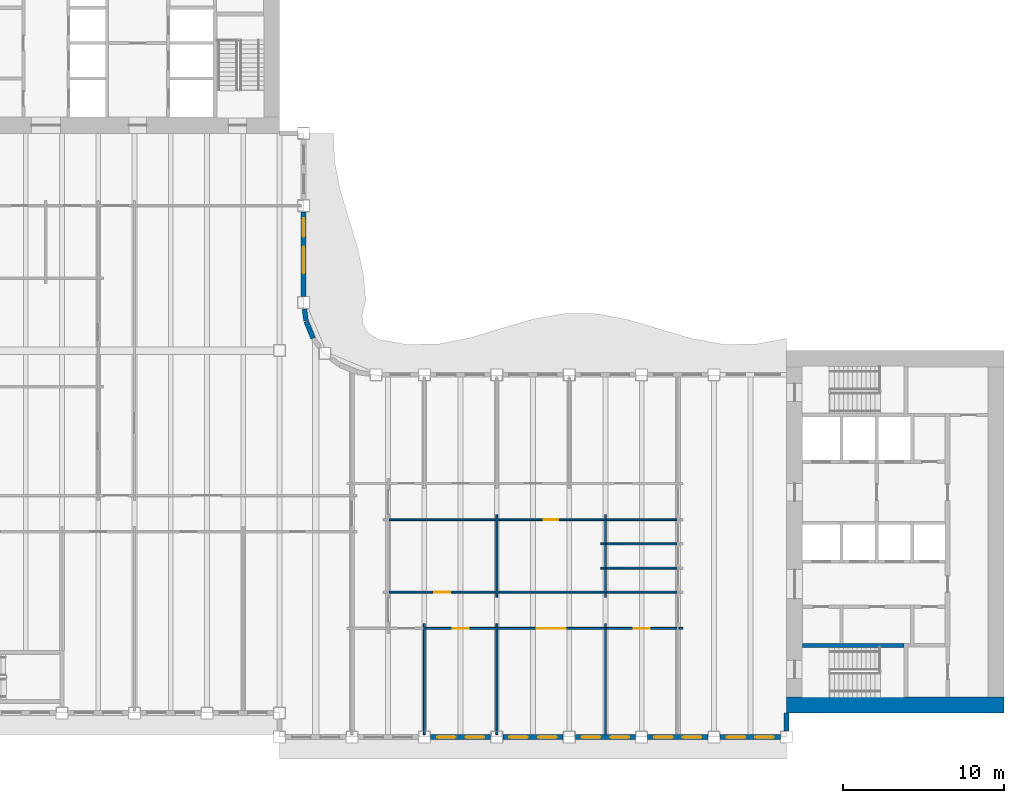
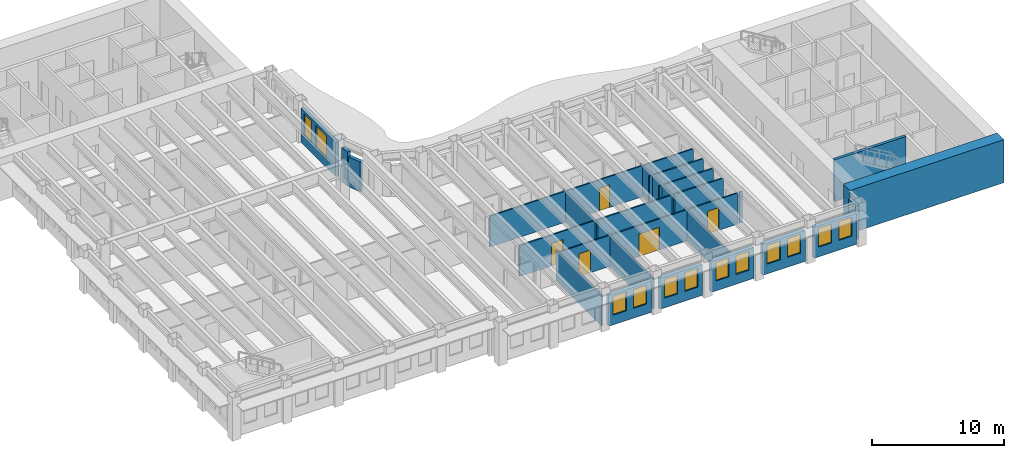
# One storey, part 5 of 16: 30 walls, 12 windows, 5 doors, 17 openings.
"""IFC4 building model written with IfcOpenShell, lengths in metres."""

from ifc_helpers import new_model, si_unit, direction, frame, frame_2d, origin, place, context, subcontext, project, spatial, rectangle, extrude, material, layer, layer_set, type_object, element, fill, save


model = new_model("IFC4")

# Units and contexts
model_context = context("Model", 3, precision=1e-05, world=origin(), true_north=direction((0.0, 1.0)))
body_context = subcontext(model_context, "Body", "Model", "MODEL_VIEW")
ifc_project = project(units=[si_unit("LENGTHUNIT", "METRE"), si_unit("AREAUNIT", "SQUARE_METRE"), si_unit("VOLUMEUNIT", "CUBIC_METRE"), si_unit("PLANEANGLEUNIT", "RADIAN"), si_unit("MASSUNIT", "GRAM", prefix="KILO")], contexts=[model_context])

# Site, building, storey
site_placement = place(None, origin())
site = spatial("IfcSite", under=ifc_project, at=site_placement, CompositionType="ELEMENT")
building_placement = place(site_placement, origin())
building = spatial("IfcBuilding", under=site, at=building_placement, Name="Sennacour Bend Tower", CompositionType="ELEMENT")
storey_placement = place(building_placement, frame((0.0, 0.0, 211.0)))
storey = spatial("IfcBuildingStorey", under=building, at=storey_placement, Name="L48", CompositionType="ELEMENT", Elevation=211.0)

# Walls
ifc_material_1 = material(Name="Concrete C60/75", Category="concrete")
ifc_layer_1 = layer(ifc_material_1, 1.0, Name="Concrete C60/75", Category="concrete")
ifc_layer_set_1 = layer_set([ifc_layer_1], Name="Concrete C60/75")
wall_type_1 = type_object("IfcWallType", Name="Core wall 1000 C60/75", PredefinedType="SHEAR", material=ifc_layer_set_1)
wall_1_placement = place(storey_placement, frame((67.5, 0.5, -0.14990234375), z_axis=(0.0, 0.0, 1.0), x_axis=(-1.0, 0.0, 0.0)))
element("IfcWall", 1, at=wall_1_placement, inside=storey, type_object=wall_type_1, Name="Core A wall L48 S", PredefinedType="SHEAR", context=body_context, shape_type="SweptSolid", body=[
    extrude(rectangle(XDim=13.5, YDim=1.0, at=frame_2d((6.75, 0.0))), origin(), (0.0, 0.0, 1.0), 4.0),
])
ifc_material_2 = material(Name="Plasterboard partition on steel studs", Category="steel")
ifc_layer_2 = layer(ifc_material_2, 0.1201171875, Name="Plasterboard partition on steel studs", Category="steel")
ifc_layer_set_2 = layer_set([ifc_layer_2], Name="Plasterboard partition on steel studs")
wall_type_2 = type_object("IfcWallType", Name="Partition 120", PredefinedType="PARTITIONING", material=ifc_layer_set_2)
for number, where, z_axis, x_axis, name in (
    (2, (31.5, -1.35009765625, 0.0), (0.0, 0.0, 1.0), (0.0, 1.0, 0.0), "P-L48-W026a"),
    (3, (36.0, -1.35009765625, 0.0), (0.0, 0.0, 1.0), (0.0, 1.0, 0.0), "P-L48-W028a"),
):
    element("IfcWall", number, at=place(storey_placement, frame(where, z_axis=z_axis, x_axis=x_axis)), inside=storey, type_object=wall_type_2, Name=name, PredefinedType="PARTITIONING", context=body_context, shape_type="SweptSolid", body=[
        extrude(rectangle(XDim=6.900146484375, YDim=0.1201171875, at=frame_2d((3.4501953125, 0.0))), origin(), (0.0, 0.0, 1.0), 2.8701171875),
    ])
wall_2_placement = place(storey_placement, frame((36.0, 7.199951171875, 0.0), z_axis=(0.0, 0.0, 1.0), x_axis=(0.0, 1.0, 0.0)))
element("IfcWall", 4, at=wall_2_placement, inside=storey, type_object=wall_type_2, Name="P-L48-W029a", PredefinedType="PARTITIONING", context=body_context, shape_type="SweptSolid", body=[
    extrude(rectangle(XDim=5.10009765625, YDim=0.1201171875, at=frame_2d((2.550048828125, 0.0))), origin(), (0.0, 0.0, 1.0), 2.8701171875),
])
wall_3_placement = place(storey_placement, frame((42.75, -1.35009765625, 0.0), z_axis=(0.0, 0.0, 1.0), x_axis=(0.0, 1.0, 0.0)))
element("IfcWall", 5, at=wall_3_placement, inside=storey, type_object=wall_type_2, Name="P-L48-W032a", PredefinedType="PARTITIONING", context=body_context, shape_type="SweptSolid", body=[
    extrude(rectangle(XDim=6.900146484375, YDim=0.1201171875, at=frame_2d((3.4501953125, 0.0))), origin(), (0.0, 0.0, 1.0), 2.8701171875),
])
wall_4_placement = place(storey_placement, frame((42.75, 7.199951171875, 0.0), z_axis=(0.0, 0.0, 1.0), x_axis=(0.0, 1.0, 0.0)))
element("IfcWall", 6, at=wall_4_placement, inside=storey, type_object=wall_type_2, Name="P-L48-W033a", PredefinedType="PARTITIONING", context=body_context, shape_type="SweptSolid", body=[
    extrude(rectangle(XDim=5.10009765625, YDim=0.1201171875, at=frame_2d((2.550048828125, 0.0))), origin(), (0.0, 0.0, 1.0), 2.8701171875),
])

# Wall, opening, door
wall_5_placement = place(storey_placement, frame((31.56005859375, 5.25, 0.0), z_axis=(0.0, 0.0, 1.0), x_axis=(1.0, 0.0, 0.0)))
wall_5 = element("IfcWall", 7, at=wall_5_placement, inside=storey, type_object=wall_type_2, Name="P-L48-W055ad", PredefinedType="PARTITIONING", context=body_context, shape_type="SweptSolid", body=[
    extrude(rectangle(XDim=4.3798828125, YDim=0.1201171875, at=frame_2d((2.18994140625, 0.0))), origin(), (0.0, 0.0, 1.0), 2.8701171875),
])
opening_1_placement = place(wall_5_placement, frame((1.68994140625, 0.0, 0.0)))
opening_1 = element("IfcOpeningElement", 8, at=opening_1_placement, cuts=wall_5, Name="Opening OD2", PredefinedType="OPENING", context=body_context, shape_type="SweptSolid", body=[
    extrude(rectangle(XDim=1.0, YDim=2.10009765625, at=frame_2d((0.5, 1.050048828125))), frame((0.0, 0.070068359375, 0.0), z_axis=(0.0, -1.0, 0.0), x_axis=(1.0, 0.0, 0.0)), (0.0, 0.0, 1.0), 0.14013671875),
])
ifc_material_3 = material(Name="Timber", Category="wood")
door_type_1 = type_object("IfcDoorType", Name="DR-OFFICE-1000", OperationType="NOTDEFINED", PredefinedType="DOOR", material=ifc_material_3)
door_1_placement = place(opening_1_placement, origin())
door_1 = element("IfcDoor", 9, at=door_1_placement, inside=storey, type_object=door_type_1, Name="Door", OperationType="SINGLE_SWING_LEFT", OverallHeight=2.10009765625, OverallWidth=1.0, PredefinedType="DOOR", context=body_context, shape_type="SweptSolid", body=[
    extrude(rectangle(XDim=1.0, YDim=2.10009765625, at=frame_2d((0.5, 1.050048828125))), frame((0.0, 0.02490234375, 0.0), z_axis=(0.0, -1.0, 0.0), x_axis=(1.0, 0.0, 0.0)), (0.0, 0.0, 1.0), 0.050048828125),
])
fill(opening_1, door_1)

wall_6_placement = place(storey_placement, frame((36.06005859375, 5.25, 0.0), z_axis=(0.0, 0.0, 1.0), x_axis=(1.0, 0.0, 0.0)))
wall_6 = element("IfcWall", 10, at=wall_6_placement, inside=storey, type_object=wall_type_2, Name="P-L48-W055ae", PredefinedType="PARTITIONING", context=body_context, shape_type="SweptSolid", body=[
    extrude(rectangle(XDim=6.6298828125, YDim=0.1201171875, at=frame_2d((3.31494140625, 0.0))), origin(), (0.0, 0.0, 1.0), 2.8701171875),
])
opening_2_placement = place(wall_6_placement, frame((2.414794921875, 0.0, 0.0)))
opening_2 = element("IfcOpeningElement", 11, at=opening_2_placement, cuts=wall_6, Name="Opening OD3", PredefinedType="OPENING", context=body_context, shape_type="SweptSolid", body=[
    extrude(rectangle(XDim=1.800048828125, YDim=2.10009765625, at=frame_2d((0.89990234375, 1.050048828125))), frame((0.0, 0.070068359375, 0.0), z_axis=(0.0, -1.0, 0.0), x_axis=(1.0, 0.0, 0.0)), (0.0, 0.0, 1.0), 0.14013671875),
])
door_type_2 = type_object("IfcDoorType", Name="DR-OFFICE-1800", OperationType="NOTDEFINED", PredefinedType="DOOR", material=ifc_material_3)
door_2_placement = place(opening_2_placement, origin())
door_2 = element("IfcDoor", 12, at=door_2_placement, inside=storey, type_object=door_type_2, Name="Door", OperationType="DOUBLE_DOOR_SINGLE_SWING", OverallHeight=2.10009765625, OverallWidth=1.800048828125, PredefinedType="DOOR", context=body_context, shape_type="SweptSolid", body=[
    extrude(rectangle(XDim=1.800048828125, YDim=2.10009765625, at=frame_2d((0.89990234375, 1.050048828125))), frame((0.0, 0.02490234375, 0.0), z_axis=(0.0, -1.0, 0.0), x_axis=(1.0, 0.0, 0.0)), (0.0, 0.0, 1.0), 0.050048828125),
])
fill(opening_2, door_2)

wall_7_placement = place(storey_placement, frame((42.81005859375, 5.25, 0.0), z_axis=(0.0, 0.0, 1.0), x_axis=(1.0, 0.0, 0.0)))
wall_7 = element("IfcWall", 13, at=wall_7_placement, inside=storey, type_object=wall_type_2, Name="P-L48-W055af", PredefinedType="PARTITIONING", context=body_context, shape_type="SweptSolid", body=[
    extrude(rectangle(XDim=4.3798828125, YDim=0.1201171875, at=frame_2d((2.18994140625, 0.0))), origin(), (0.0, 0.0, 1.0), 2.8701171875),
])
opening_3_placement = place(wall_7_placement, frame((1.68994140625, 0.0, 0.0)))
opening_3 = element("IfcOpeningElement", 14, at=opening_3_placement, cuts=wall_7, Name="Opening OD2", PredefinedType="OPENING", context=body_context, shape_type="SweptSolid", body=[
    extrude(rectangle(XDim=1.0, YDim=2.10009765625, at=frame_2d((0.5, 1.050048828125))), frame((0.0, 0.070068359375, 0.0), z_axis=(0.0, -1.0, 0.0), x_axis=(1.0, 0.0, 0.0)), (0.0, 0.0, 1.0), 0.14013671875),
])
door_3_placement = place(opening_3_placement, origin())
door_3 = element("IfcDoor", 15, at=door_3_placement, inside=storey, type_object=door_type_1, Name="Door", OperationType="SINGLE_SWING_LEFT", OverallHeight=2.10009765625, OverallWidth=1.0, PredefinedType="DOOR", context=body_context, shape_type="SweptSolid", body=[
    extrude(rectangle(XDim=1.0, YDim=2.10009765625, at=frame_2d((0.5, 1.050048828125))), frame((0.0, 0.02490234375, 0.0), z_axis=(0.0, -1.0, 0.0), x_axis=(1.0, 0.0, 0.0)), (0.0, 0.0, 1.0), 0.050048828125),
])
fill(opening_3, door_3)

# Wall
wall_8_placement = place(storey_placement, frame((47.31005859375, 5.25, 0.0), z_axis=(0.0, 0.0, 1.0), x_axis=(1.0, 0.0, 0.0)))
element("IfcWall", 16, at=wall_8_placement, inside=storey, type_object=wall_type_2, Name="P-L48-W055ag", PredefinedType="PARTITIONING", context=body_context, shape_type="SweptSolid", body=[
    extrude(rectangle(XDim=0.239990234375, YDim=0.1201171875, at=frame_2d((0.1201171875, 0.0))), origin(), (0.0, 0.0, 1.0), 2.8701171875),
])

# Wall, opening, door
wall_9_placement = place(storey_placement, frame((29.31005859375, 7.5, 0.0), z_axis=(0.0, 0.0, 1.0), x_axis=(1.0, 0.0, 0.0)))
wall_9 = element("IfcWall", 17, at=wall_9_placement, inside=storey, type_object=wall_type_2, Name="P-L48-W057ab", PredefinedType="PARTITIONING", context=body_context, shape_type="SweptSolid", body=[
    extrude(rectangle(XDim=6.6298828125, YDim=0.1201171875, at=frame_2d((3.31494140625, 0.0))), origin(), (0.0, 0.0, 1.0), 2.8701171875),
])
opening_4_placement = place(wall_9_placement, frame((2.81494140625, 0.0, 0.0)))
opening_4 = element("IfcOpeningElement", 18, at=opening_4_placement, cuts=wall_9, Name="Opening OD2", PredefinedType="OPENING", context=body_context, shape_type="SweptSolid", body=[
    extrude(rectangle(XDim=1.0, YDim=2.10009765625, at=frame_2d((0.5, 1.050048828125))), frame((0.0, 0.070068359375, 0.0), z_axis=(0.0, -1.0, 0.0), x_axis=(1.0, 0.0, 0.0)), (0.0, 0.0, 1.0), 0.14013671875),
])
door_4_placement = place(opening_4_placement, origin())
door_4 = element("IfcDoor", 19, at=door_4_placement, inside=storey, type_object=door_type_1, Name="Door", OperationType="SINGLE_SWING_LEFT", OverallHeight=2.10009765625, OverallWidth=1.0, PredefinedType="DOOR", context=body_context, shape_type="SweptSolid", body=[
    extrude(rectangle(XDim=1.0, YDim=2.10009765625, at=frame_2d((0.5, 1.050048828125))), frame((0.0, 0.02490234375, 0.0), z_axis=(0.0, -1.0, 0.0), x_axis=(1.0, 0.0, 0.0)), (0.0, 0.0, 1.0), 0.050048828125),
])
fill(opening_4, door_4)

# Walls
wall_10_placement = place(storey_placement, frame((36.06005859375, 7.5, 0.0), z_axis=(0.0, 0.0, 1.0), x_axis=(1.0, 0.0, 0.0)))
element("IfcWall", 20, at=wall_10_placement, inside=storey, type_object=wall_type_2, Name="P-L48-W057ac", PredefinedType="PARTITIONING", context=body_context, shape_type="SweptSolid", body=[
    extrude(rectangle(XDim=6.6298828125, YDim=0.1201171875, at=frame_2d((3.31494140625, 0.0))), origin(), (0.0, 0.0, 1.0), 2.8701171875),
])
wall_11_placement = place(storey_placement, frame((42.81005859375, 7.5, 0.0), z_axis=(0.0, 0.0, 1.0), x_axis=(1.0, 0.0, 0.0)))
element("IfcWall", 21, at=wall_11_placement, inside=storey, type_object=wall_type_2, Name="P-L48-W057ad", PredefinedType="PARTITIONING", context=body_context, shape_type="SweptSolid", body=[
    extrude(rectangle(XDim=4.3798828125, YDim=0.1201171875, at=frame_2d((2.18994140625, 0.0))), origin(), (0.0, 0.0, 1.0), 2.8701171875),
])
wall_12_placement = place(storey_placement, frame((42.449951171875, 9.0, 0.0), z_axis=(0.0, 0.0, 1.0), x_axis=(1.0, 0.0, 0.0)))
element("IfcWall", 22, at=wall_12_placement, inside=storey, type_object=wall_type_2, Name="P-L48-W058aa", PredefinedType="PARTITIONING", context=body_context, shape_type="SweptSolid", body=[
    extrude(rectangle(XDim=0.239990234375, YDim=0.1201171875, at=frame_2d((0.1201171875, 0.0))), origin(), (0.0, 0.0, 1.0), 2.8701171875),
])
wall_13_placement = place(storey_placement, frame((42.81005859375, 9.0, 0.0), z_axis=(0.0, 0.0, 1.0), x_axis=(1.0, 0.0, 0.0)))
element("IfcWall", 23, at=wall_13_placement, inside=storey, type_object=wall_type_2, Name="P-L48-W058ab", PredefinedType="PARTITIONING", context=body_context, shape_type="SweptSolid", body=[
    extrude(rectangle(XDim=4.3798828125, YDim=0.1201171875, at=frame_2d((2.18994140625, 0.0))), origin(), (0.0, 0.0, 1.0), 2.8701171875),
])
wall_14_placement = place(storey_placement, frame((42.449951171875, 10.5, 0.0), z_axis=(0.0, 0.0, 1.0), x_axis=(1.0, 0.0, 0.0)))
element("IfcWall", 24, at=wall_14_placement, inside=storey, type_object=wall_type_2, Name="P-L48-W060aa", PredefinedType="PARTITIONING", context=body_context, shape_type="SweptSolid", body=[
    extrude(rectangle(XDim=0.239990234375, YDim=0.1201171875, at=frame_2d((0.1201171875, 0.0))), origin(), (0.0, 0.0, 1.0), 2.8701171875),
])
wall_15_placement = place(storey_placement, frame((42.81005859375, 10.5, 0.0), z_axis=(0.0, 0.0, 1.0), x_axis=(1.0, 0.0, 0.0)))
element("IfcWall", 25, at=wall_15_placement, inside=storey, type_object=wall_type_2, Name="P-L48-W060ab", PredefinedType="PARTITIONING", context=body_context, shape_type="SweptSolid", body=[
    extrude(rectangle(XDim=4.3798828125, YDim=0.1201171875, at=frame_2d((2.18994140625, 0.0))), origin(), (0.0, 0.0, 1.0), 2.8701171875),
])
wall_16_placement = place(storey_placement, frame((29.31005859375, 12.0, 0.0), z_axis=(0.0, 0.0, 1.0), x_axis=(1.0, 0.0, 0.0)))
element("IfcWall", 26, at=wall_16_placement, inside=storey, type_object=wall_type_2, Name="P-L48-W063ab", PredefinedType="PARTITIONING", context=body_context, shape_type="SweptSolid", body=[
    extrude(rectangle(XDim=6.6298828125, YDim=0.1201171875, at=frame_2d((3.31494140625, 0.0))), origin(), (0.0, 0.0, 1.0), 2.8701171875),
])
wall_17_placement = place(storey_placement, frame((42.81005859375, 12.0, 0.0), z_axis=(0.0, 0.0, 1.0), x_axis=(1.0, 0.0, 0.0)))
element("IfcWall", 27, at=wall_17_placement, inside=storey, type_object=wall_type_2, Name="P-L48-W063ad", PredefinedType="PARTITIONING", context=body_context, shape_type="SweptSolid", body=[
    extrude(rectangle(XDim=4.3798828125, YDim=0.1201171875, at=frame_2d((2.18994140625, 0.0))), origin(), (0.0, 0.0, 1.0), 2.8701171875),
])

# Wall, opening, door
ifc_layer_3 = layer(ifc_material_2, 0.1201171875, Name="Plasterboard partition on steel studs", Category="steel")
ifc_layer_set_3 = layer_set([ifc_layer_3], Name="Plasterboard partition on steel studs")
wall_type_3 = type_object("IfcWallType", Name="Partition 120 EI 60", PredefinedType="PARTITIONING", material=ifc_layer_set_3)
wall_18_placement = place(storey_placement, frame((36.06005859375, 12.0, 0.0), z_axis=(0.0, 0.0, 1.0), x_axis=(1.0, 0.0, 0.0)))
wall_18 = element("IfcWall", 28, at=wall_18_placement, inside=storey, type_object=wall_type_3, Name="P-L48-W063ac", PredefinedType="PARTITIONING", context=body_context, shape_type="SweptSolid", body=[
    extrude(rectangle(XDim=6.6298828125, YDim=0.1201171875, at=frame_2d((3.31494140625, 0.0))), origin(), (0.0, 0.0, 1.0), 2.8701171875),
])
opening_5_placement = place(wall_18_placement, frame((2.864990234375, 0.0, 0.0)))
opening_5 = element("IfcOpeningElement", 29, at=opening_5_placement, cuts=wall_18, Name="Opening SV", PredefinedType="OPENING", context=body_context, shape_type="SweptSolid", body=[
    extrude(rectangle(XDim=0.89990234375, YDim=2.10009765625, at=frame_2d((0.449951171875, 1.050048828125))), frame((0.0, 0.070068359375, 0.0), z_axis=(0.0, -1.0, 0.0), x_axis=(1.0, 0.0, 0.0)), (0.0, 0.0, 1.0), 0.14013671875),
])
ifc_material_4 = material(Name="Painted steel", Category="steel")
door_type_3 = type_object("IfcDoorType", Name="DR-SERVICE-900", OperationType="NOTDEFINED", PredefinedType="DOOR", material=ifc_material_4)
door_5_placement = place(opening_5_placement, origin())
door_5 = element("IfcDoor", 30, at=door_5_placement, inside=storey, type_object=door_type_3, Name="Door", OperationType="SINGLE_SWING_LEFT", OverallHeight=2.10009765625, OverallWidth=0.89990234375, PredefinedType="DOOR", context=body_context, shape_type="SweptSolid", body=[
    extrude(rectangle(XDim=0.89990234375, YDim=2.10009765625, at=frame_2d((0.449951171875, 1.050048828125))), frame((0.0, 0.02490234375, 0.0), z_axis=(0.0, -1.0, 0.0), x_axis=(1.0, 0.0, 0.0)), (0.0, 0.0, 1.0), 0.050048828125),
])
fill(opening_5, door_5)

# Wall, openings, windows
ifc_material_5 = material(Name="Warm limestone cladding", Category="masonry")
ifc_layer_4 = layer(ifc_material_5, 0.050048828125, Name="Warm limestone cladding", Category="masonry")
ifc_material_6 = material(Name="Precast concrete C40/50", Category="concrete")
ifc_layer_5 = layer(ifc_material_6, 0.25, Name="Precast concrete C40/50", Category="concrete")
ifc_layer_set_4 = layer_set([ifc_layer_4, ifc_layer_5], Name="Precast concrete C40/50 with limestone cladding")
wall_type_4 = type_object("IfcWallType", Name="STONE-CLAD PRECAST SPANDREL 300", PredefinedType="STANDARD", material=ifc_layer_set_4)
wall_19_placement = place(storey_placement, frame((31.875, -1.5, 0.0), z_axis=(0.0, 0.0, 1.0), x_axis=(1.0, 0.0, 0.0)))
wall_19 = element("IfcWall", 31, at=wall_19_placement, inside=storey, type_object=wall_type_4, Name="Stone spandrel and pier wall L48 00.02", PredefinedType="STANDARD", context=body_context, shape_type="SweptSolid", body=[
    extrude(rectangle(XDim=3.75, YDim=0.300048828125, at=frame_2d((1.875, 0.0))), origin(), (0.0, 0.0, 1.0), 2.8701171875),
])
opening_6_placement = place(wall_19_placement, frame((0.41259765625, 0.0, 0.89990234375)))
opening_6 = element("IfcOpeningElement", 32, at=opening_6_placement, cuts=wall_19, Name="Opening W23", PredefinedType="OPENING", context=body_context, shape_type="SweptSolid", body=[
    extrude(rectangle(XDim=1.14990234375, YDim=1.75, at=frame_2d((0.574951171875, 0.875))), frame((0.0, 0.16015625, 0.0), z_axis=(0.0, -1.0, 0.0), x_axis=(1.0, 0.0, 0.0)), (0.0, 0.0, 1.0), 0.320068359375),
])
opening_7_placement = place(wall_19_placement, frame((2.1875, 0.0, 0.89990234375)))
opening_7 = element("IfcOpeningElement", 33, at=opening_7_placement, cuts=wall_19, Name="Opening W23", PredefinedType="OPENING", context=body_context, shape_type="SweptSolid", body=[
    extrude(rectangle(XDim=1.14990234375, YDim=1.75, at=frame_2d((0.574951171875, 0.875))), frame((0.0, 0.16015625, 0.0), z_axis=(0.0, -1.0, 0.0), x_axis=(1.0, 0.0, 0.0)), (0.0, 0.0, 1.0), 0.320068359375),
])
ifc_material_7 = material(Name="Clear low-emissivity glass", Category="glass")
window_type_1 = type_object("IfcWindowType", Name="WIN-RIBBON-1150x1750", PartitioningType="SINGLE_PANEL", PredefinedType="WINDOW", material=ifc_material_7)
window_1_placement = place(opening_6_placement, origin())
window_1 = element("IfcWindow", 34, at=window_1_placement, inside=storey, type_object=window_type_1, Name="Ribbon window L48 00.02.0", OverallHeight=1.75, OverallWidth=1.14990234375, PartitioningType="SINGLE_PANEL", PredefinedType="WINDOW", context=body_context, shape_type="SweptSolid", body=[
    extrude(rectangle(XDim=1.14990234375, YDim=1.75, at=frame_2d((0.574951171875, 0.875))), frame((0.0, 0.030029296875, 0.0), z_axis=(0.0, -1.0, 0.0), x_axis=(1.0, 0.0, 0.0)), (0.0, 0.0, 1.0), 0.06005859375),
])
fill(opening_6, window_1)
window_2_placement = place(opening_7_placement, origin())
window_2 = element("IfcWindow", 35, at=window_2_placement, inside=storey, type_object=window_type_1, Name="Ribbon window L48 00.02.1", OverallHeight=1.75, OverallWidth=1.14990234375, PartitioningType="SINGLE_PANEL", PredefinedType="WINDOW", context=body_context, shape_type="SweptSolid", body=[
    extrude(rectangle(XDim=1.14990234375, YDim=1.75, at=frame_2d((0.574951171875, 0.875))), frame((0.0, 0.030029296875, 0.0), z_axis=(0.0, -1.0, 0.0), x_axis=(1.0, 0.0, 0.0)), (0.0, 0.0, 1.0), 0.06005859375),
])
fill(opening_7, window_2)

wall_20_placement = place(storey_placement, frame((36.375, -1.5, 0.0), z_axis=(0.0, 0.0, 1.0), x_axis=(1.0, 0.0, 0.0)))
wall_20 = element("IfcWall", 36, at=wall_20_placement, inside=storey, type_object=wall_type_4, Name="Stone spandrel and pier wall L48 00.03", PredefinedType="STANDARD", context=body_context, shape_type="SweptSolid", body=[
    extrude(rectangle(XDim=3.75, YDim=0.300048828125, at=frame_2d((1.875, 0.0))), origin(), (0.0, 0.0, 1.0), 2.8701171875),
])
opening_8_placement = place(wall_20_placement, frame((0.41259765625, 0.0, 0.89990234375)))
opening_8 = element("IfcOpeningElement", 37, at=opening_8_placement, cuts=wall_20, Name="Opening W23", PredefinedType="OPENING", context=body_context, shape_type="SweptSolid", body=[
    extrude(rectangle(XDim=1.14990234375, YDim=1.75, at=frame_2d((0.574951171875, 0.875))), frame((0.0, 0.16015625, 0.0), z_axis=(0.0, -1.0, 0.0), x_axis=(1.0, 0.0, 0.0)), (0.0, 0.0, 1.0), 0.320068359375),
])
opening_9_placement = place(wall_20_placement, frame((2.1875, 0.0, 0.89990234375)))
opening_9 = element("IfcOpeningElement", 38, at=opening_9_placement, cuts=wall_20, Name="Opening W23", PredefinedType="OPENING", context=body_context, shape_type="SweptSolid", body=[
    extrude(rectangle(XDim=1.14990234375, YDim=1.75, at=frame_2d((0.574951171875, 0.875))), frame((0.0, 0.16015625, 0.0), z_axis=(0.0, -1.0, 0.0), x_axis=(1.0, 0.0, 0.0)), (0.0, 0.0, 1.0), 0.320068359375),
])
window_3_placement = place(opening_8_placement, origin())
window_3 = element("IfcWindow", 39, at=window_3_placement, inside=storey, type_object=window_type_1, Name="Ribbon window L48 00.03.0", OverallHeight=1.75, OverallWidth=1.14990234375, PartitioningType="SINGLE_PANEL", PredefinedType="WINDOW", context=body_context, shape_type="SweptSolid", body=[
    extrude(rectangle(XDim=1.14990234375, YDim=1.75, at=frame_2d((0.574951171875, 0.875))), frame((0.0, 0.030029296875, 0.0), z_axis=(0.0, -1.0, 0.0), x_axis=(1.0, 0.0, 0.0)), (0.0, 0.0, 1.0), 0.06005859375),
])
fill(opening_8, window_3)
window_4_placement = place(opening_9_placement, origin())
window_4 = element("IfcWindow", 40, at=window_4_placement, inside=storey, type_object=window_type_1, Name="Ribbon window L48 00.03.1", OverallHeight=1.75, OverallWidth=1.14990234375, PartitioningType="SINGLE_PANEL", PredefinedType="WINDOW", context=body_context, shape_type="SweptSolid", body=[
    extrude(rectangle(XDim=1.14990234375, YDim=1.75, at=frame_2d((0.574951171875, 0.875))), frame((0.0, 0.030029296875, 0.0), z_axis=(0.0, -1.0, 0.0), x_axis=(1.0, 0.0, 0.0)), (0.0, 0.0, 1.0), 0.06005859375),
])
fill(opening_9, window_4)

wall_21_placement = place(storey_placement, frame((40.875, -1.5, 0.0), z_axis=(0.0, 0.0, 1.0), x_axis=(1.0, 0.0, 0.0)))
wall_21 = element("IfcWall", 41, at=wall_21_placement, inside=storey, type_object=wall_type_4, Name="Stone spandrel and pier wall L48 00.04", PredefinedType="STANDARD", context=body_context, shape_type="SweptSolid", body=[
    extrude(rectangle(XDim=3.75, YDim=0.300048828125, at=frame_2d((1.875, 0.0))), origin(), (0.0, 0.0, 1.0), 2.8701171875),
])
opening_10_placement = place(wall_21_placement, frame((0.41259765625, 0.0, 0.89990234375)))
opening_10 = element("IfcOpeningElement", 42, at=opening_10_placement, cuts=wall_21, Name="Opening W23", PredefinedType="OPENING", context=body_context, shape_type="SweptSolid", body=[
    extrude(rectangle(XDim=1.14990234375, YDim=1.75, at=frame_2d((0.574951171875, 0.875))), frame((0.0, 0.16015625, 0.0), z_axis=(0.0, -1.0, 0.0), x_axis=(1.0, 0.0, 0.0)), (0.0, 0.0, 1.0), 0.320068359375),
])
opening_11_placement = place(wall_21_placement, frame((2.1875, 0.0, 0.89990234375)))
opening_11 = element("IfcOpeningElement", 43, at=opening_11_placement, cuts=wall_21, Name="Opening W23", PredefinedType="OPENING", context=body_context, shape_type="SweptSolid", body=[
    extrude(rectangle(XDim=1.14990234375, YDim=1.75, at=frame_2d((0.574951171875, 0.875))), frame((0.0, 0.16015625, 0.0), z_axis=(0.0, -1.0, 0.0), x_axis=(1.0, 0.0, 0.0)), (0.0, 0.0, 1.0), 0.320068359375),
])
window_5_placement = place(opening_10_placement, origin())
window_5 = element("IfcWindow", 44, at=window_5_placement, inside=storey, type_object=window_type_1, Name="Ribbon window L48 00.04.0", OverallHeight=1.75, OverallWidth=1.14990234375, PartitioningType="SINGLE_PANEL", PredefinedType="WINDOW", context=body_context, shape_type="SweptSolid", body=[
    extrude(rectangle(XDim=1.14990234375, YDim=1.75, at=frame_2d((0.574951171875, 0.875))), frame((0.0, 0.030029296875, 0.0), z_axis=(0.0, -1.0, 0.0), x_axis=(1.0, 0.0, 0.0)), (0.0, 0.0, 1.0), 0.06005859375),
])
fill(opening_10, window_5)
window_6_placement = place(opening_11_placement, origin())
window_6 = element("IfcWindow", 45, at=window_6_placement, inside=storey, type_object=window_type_1, Name="Ribbon window L48 00.04.1", OverallHeight=1.75, OverallWidth=1.14990234375, PartitioningType="SINGLE_PANEL", PredefinedType="WINDOW", context=body_context, shape_type="SweptSolid", body=[
    extrude(rectangle(XDim=1.14990234375, YDim=1.75, at=frame_2d((0.574951171875, 0.875))), frame((0.0, 0.030029296875, 0.0), z_axis=(0.0, -1.0, 0.0), x_axis=(1.0, 0.0, 0.0)), (0.0, 0.0, 1.0), 0.06005859375),
])
fill(opening_11, window_6)

wall_22_placement = place(storey_placement, frame((45.375, -1.5, 0.0), z_axis=(0.0, 0.0, 1.0), x_axis=(1.0, 0.0, 0.0)))
wall_22 = element("IfcWall", 46, at=wall_22_placement, inside=storey, type_object=wall_type_4, Name="Stone spandrel and pier wall L48 00.05", PredefinedType="STANDARD", context=body_context, shape_type="SweptSolid", body=[
    extrude(rectangle(XDim=3.75, YDim=0.300048828125, at=frame_2d((1.875, 0.0))), origin(), (0.0, 0.0, 1.0), 2.8701171875),
])
opening_12_placement = place(wall_22_placement, frame((0.41259765625, 0.0, 0.89990234375)))
opening_12 = element("IfcOpeningElement", 47, at=opening_12_placement, cuts=wall_22, Name="Opening W23", PredefinedType="OPENING", context=body_context, shape_type="SweptSolid", body=[
    extrude(rectangle(XDim=1.14990234375, YDim=1.75, at=frame_2d((0.574951171875, 0.875))), frame((0.0, 0.16015625, 0.0), z_axis=(0.0, -1.0, 0.0), x_axis=(1.0, 0.0, 0.0)), (0.0, 0.0, 1.0), 0.320068359375),
])
opening_13_placement = place(wall_22_placement, frame((2.1875, 0.0, 0.89990234375)))
opening_13 = element("IfcOpeningElement", 48, at=opening_13_placement, cuts=wall_22, Name="Opening W23", PredefinedType="OPENING", context=body_context, shape_type="SweptSolid", body=[
    extrude(rectangle(XDim=1.14990234375, YDim=1.75, at=frame_2d((0.574951171875, 0.875))), frame((0.0, 0.16015625, 0.0), z_axis=(0.0, -1.0, 0.0), x_axis=(1.0, 0.0, 0.0)), (0.0, 0.0, 1.0), 0.320068359375),
])
window_7_placement = place(opening_12_placement, origin())
window_7 = element("IfcWindow", 49, at=window_7_placement, inside=storey, type_object=window_type_1, Name="Ribbon window L48 00.05.0", OverallHeight=1.75, OverallWidth=1.14990234375, PartitioningType="SINGLE_PANEL", PredefinedType="WINDOW", context=body_context, shape_type="SweptSolid", body=[
    extrude(rectangle(XDim=1.14990234375, YDim=1.75, at=frame_2d((0.574951171875, 0.875))), frame((0.0, 0.030029296875, 0.0), z_axis=(0.0, -1.0, 0.0), x_axis=(1.0, 0.0, 0.0)), (0.0, 0.0, 1.0), 0.06005859375),
])
fill(opening_12, window_7)
window_8_placement = place(opening_13_placement, origin())
window_8 = element("IfcWindow", 50, at=window_8_placement, inside=storey, type_object=window_type_1, Name="Ribbon window L48 00.05.1", OverallHeight=1.75, OverallWidth=1.14990234375, PartitioningType="SINGLE_PANEL", PredefinedType="WINDOW", context=body_context, shape_type="SweptSolid", body=[
    extrude(rectangle(XDim=1.14990234375, YDim=1.75, at=frame_2d((0.574951171875, 0.875))), frame((0.0, 0.030029296875, 0.0), z_axis=(0.0, -1.0, 0.0), x_axis=(1.0, 0.0, 0.0)), (0.0, 0.0, 1.0), 0.06005859375),
])
fill(opening_13, window_8)

wall_23_placement = place(storey_placement, frame((49.875, -1.5, 0.0), z_axis=(0.0, 0.0, 1.0), x_axis=(1.0, 0.0, 0.0)))
wall_23 = element("IfcWall", 51, at=wall_23_placement, inside=storey, type_object=wall_type_4, Name="Stone spandrel and pier wall L48 00.06", PredefinedType="STANDARD", context=body_context, shape_type="SweptSolid", body=[
    extrude(rectangle(XDim=3.75, YDim=0.300048828125, at=frame_2d((1.875, 0.0))), origin(), (0.0, 0.0, 1.0), 2.8701171875),
])
opening_14_placement = place(wall_23_placement, frame((0.41259765625, 0.0, 0.89990234375)))
opening_14 = element("IfcOpeningElement", 52, at=opening_14_placement, cuts=wall_23, Name="Opening W23", PredefinedType="OPENING", context=body_context, shape_type="SweptSolid", body=[
    extrude(rectangle(XDim=1.14990234375, YDim=1.75, at=frame_2d((0.574951171875, 0.875))), frame((0.0, 0.16015625, 0.0), z_axis=(0.0, -1.0, 0.0), x_axis=(1.0, 0.0, 0.0)), (0.0, 0.0, 1.0), 0.320068359375),
])
opening_15_placement = place(wall_23_placement, frame((2.1875, 0.0, 0.89990234375)))
opening_15 = element("IfcOpeningElement", 53, at=opening_15_placement, cuts=wall_23, Name="Opening W23", PredefinedType="OPENING", context=body_context, shape_type="SweptSolid", body=[
    extrude(rectangle(XDim=1.14990234375, YDim=1.75, at=frame_2d((0.574951171875, 0.875))), frame((0.0, 0.16015625, 0.0), z_axis=(0.0, -1.0, 0.0), x_axis=(1.0, 0.0, 0.0)), (0.0, 0.0, 1.0), 0.320068359375),
])
window_9_placement = place(opening_14_placement, origin())
window_9 = element("IfcWindow", 54, at=window_9_placement, inside=storey, type_object=window_type_1, Name="Ribbon window L48 00.06.0", OverallHeight=1.75, OverallWidth=1.14990234375, PartitioningType="SINGLE_PANEL", PredefinedType="WINDOW", context=body_context, shape_type="SweptSolid", body=[
    extrude(rectangle(XDim=1.14990234375, YDim=1.75, at=frame_2d((0.574951171875, 0.875))), frame((0.0, 0.030029296875, 0.0), z_axis=(0.0, -1.0, 0.0), x_axis=(1.0, 0.0, 0.0)), (0.0, 0.0, 1.0), 0.06005859375),
])
fill(opening_14, window_9)
window_10_placement = place(opening_15_placement, origin())
window_10 = element("IfcWindow", 55, at=window_10_placement, inside=storey, type_object=window_type_1, Name="Ribbon window L48 00.06.1", OverallHeight=1.75, OverallWidth=1.14990234375, PartitioningType="SINGLE_PANEL", PredefinedType="WINDOW", context=body_context, shape_type="SweptSolid", body=[
    extrude(rectangle(XDim=1.14990234375, YDim=1.75, at=frame_2d((0.574951171875, 0.875))), frame((0.0, 0.030029296875, 0.0), z_axis=(0.0, -1.0, 0.0), x_axis=(1.0, 0.0, 0.0)), (0.0, 0.0, 1.0), 0.06005859375),
])
fill(opening_15, window_10)

# Walls
wall_24_placement = place(storey_placement, frame((54.0, -1.125, 0.0), z_axis=(0.0, 0.0, 1.0), x_axis=(0.0, 1.0, 0.0)))
element("IfcWall", 56, at=wall_24_placement, inside=storey, type_object=wall_type_4, Name="Stone spandrel and pier wall L48 01.00", PredefinedType="STANDARD", context=body_context, shape_type="SweptSolid", body=[
    extrude(rectangle(XDim=1.125, YDim=0.300048828125, at=frame_2d((0.5625, 0.0))), origin(), (0.0, 0.0, 1.0), 3.156982421875),
])
wall_25_placement = place(storey_placement, frame((24.59521484375, 23.268310546875, 0.0), z_axis=(0.0, 0.0, 1.0), x_axis=(-0.382598720491, 0.923914616768, 0.0)))
element("IfcWall", 57, at=wall_25_placement, inside=storey, type_object=wall_type_4, Name="Stone spandrel and pier wall L48 11.00", PredefinedType="STANDARD", context=body_context, shape_type="SweptSolid", body=[
    extrude(rectangle(XDim=1.13525390625, YDim=0.300048828125, at=frame_2d((0.567626953125, 0.0))), origin(), (0.0, 0.0, 1.0), 2.760009765625),
])
wall_26_placement = place(storey_placement, frame((24.15087890625, 24.35498046875, 0.0), z_axis=(0.0, 0.0, 1.0), x_axis=(-0.130660917588, 0.99142711513, 0.0)))
element("IfcWall", 58, at=wall_26_placement, inside=storey, type_object=wall_type_4, Name="Stone spandrel and pier wall L48 12.00", PredefinedType="STANDARD", context=body_context, shape_type="SweptSolid", body=[
    extrude(rectangle(XDim=0.734375, YDim=0.300048828125, at=frame_2d((0.3671875, 0.0))), origin(), (0.0, 0.0, 1.0), 3.156982421875),
])

# Wall, openings, windows
wall_27_placement = place(storey_placement, frame((24.0, 25.875, 0.0), z_axis=(0.0, 0.0, 1.0), x_axis=(0.0, 1.0, 0.0)))
wall_27 = element("IfcWall", 59, at=wall_27_placement, inside=storey, type_object=wall_type_4, Name="Stone spandrel and pier wall L48 13.00", PredefinedType="STANDARD", context=body_context, shape_type="SweptSolid", body=[
    extrude(rectangle(XDim=5.25, YDim=0.300048828125, at=frame_2d((2.625, 0.0))), origin(), (0.0, 0.0, 1.0), 3.156982421875),
])
opening_16_placement = place(wall_27_placement, frame((1.425048828125, 0.0, 0.89990234375)))
opening_16 = element("IfcOpeningElement", 60, at=opening_16_placement, cuts=wall_27, Name="Opening W10", PredefinedType="OPENING", context=body_context, shape_type="SweptSolid", body=[
    extrude(rectangle(XDim=1.64990234375, YDim=2.0, at=frame_2d((0.824951171875, 1.0))), frame((0.0, 0.16015625, 0.0), z_axis=(0.0, -1.0, 0.0), x_axis=(1.0, 0.0, 0.0)), (0.0, 0.0, 1.0), 0.320068359375),
])
opening_17_placement = place(wall_27_placement, frame((3.6875, 0.0, 0.89990234375)))
opening_17 = element("IfcOpeningElement", 61, at=opening_17_placement, cuts=wall_27, Name="Opening W24", PredefinedType="OPENING", context=body_context, shape_type="SweptSolid", body=[
    extrude(rectangle(XDim=1.14990234375, YDim=2.0, at=frame_2d((0.574951171875, 1.0))), frame((0.0, 0.16015625, 0.0), z_axis=(0.0, -1.0, 0.0), x_axis=(1.0, 0.0, 0.0)), (0.0, 0.0, 1.0), 0.320068359375),
])
window_type_2 = type_object("IfcWindowType", Name="WIN-RIBBON-1150x2000", PartitioningType="SINGLE_PANEL", PredefinedType="WINDOW", material=ifc_material_7)
window_11_placement = place(opening_17_placement, origin())
window_11 = element("IfcWindow", 62, at=window_11_placement, inside=storey, type_object=window_type_2, Name="Ribbon window L48 13.00.1", OverallHeight=2.0, OverallWidth=1.14990234375, PartitioningType="SINGLE_PANEL", PredefinedType="WINDOW", context=body_context, shape_type="SweptSolid", body=[
    extrude(rectangle(XDim=1.14990234375, YDim=2.0, at=frame_2d((0.574951171875, 1.0))), frame((0.0, 0.030029296875, 0.0), z_axis=(0.0, -1.0, 0.0), x_axis=(1.0, 0.0, 0.0)), (0.0, 0.0, 1.0), 0.06005859375),
])
fill(opening_17, window_11)
window_type_3 = type_object("IfcWindowType", Name="WIN-RIBBON-1650x2000", PartitioningType="SINGLE_PANEL", PredefinedType="WINDOW", material=ifc_material_7)
window_12_placement = place(opening_16_placement, origin())
window_12 = element("IfcWindow", 63, at=window_12_placement, inside=storey, type_object=window_type_3, Name="Ribbon window L48 13.00.0", OverallHeight=2.0, OverallWidth=1.64990234375, PartitioningType="SINGLE_PANEL", PredefinedType="WINDOW", context=body_context, shape_type="SweptSolid", body=[
    extrude(rectangle(XDim=1.64990234375, YDim=2.0, at=frame_2d((0.824951171875, 1.0))), frame((0.0, 0.030029296875, 0.0), z_axis=(0.0, -1.0, 0.0), x_axis=(1.0, 0.0, 0.0)), (0.0, 0.0, 1.0), 0.06005859375),
])
fill(opening_16, window_12)

# Wall
ifc_layer_6 = layer(ifc_material_1, 0.25, Name="Concrete C60/75", Category="concrete")
ifc_layer_set_5 = layer_set([ifc_layer_6], Name="Concrete C60/75")
wall_type_5 = type_object("IfcWallType", Name="Stair wall 250", PredefinedType="SHEAR", material=ifc_layer_set_5)
wall_28_placement = place(storey_placement, frame((55.0, 4.199951171875, 0.0), z_axis=(0.0, 0.0, 1.0), x_axis=(1.0, 0.0, 0.0)))
element("IfcWall", 64, at=wall_28_placement, inside=storey, type_object=wall_type_5, Name="P-L48-W053", PredefinedType="SHEAR", context=body_context, shape_type="SweptSolid", body=[
    extrude(rectangle(XDim=6.27490234375, YDim=0.25, at=frame_2d((3.137451171875, 0.0))), origin(), (0.0, 0.0, 1.0), 3.85009765625),
])

save(model, "model.ifc")
